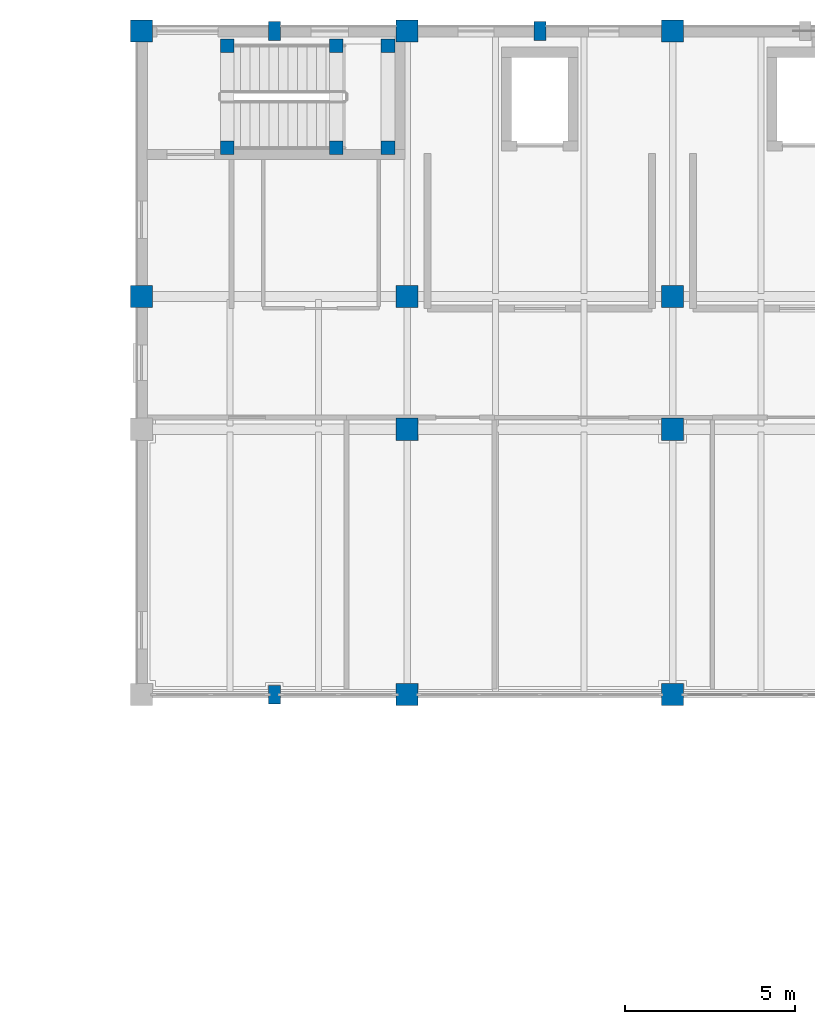
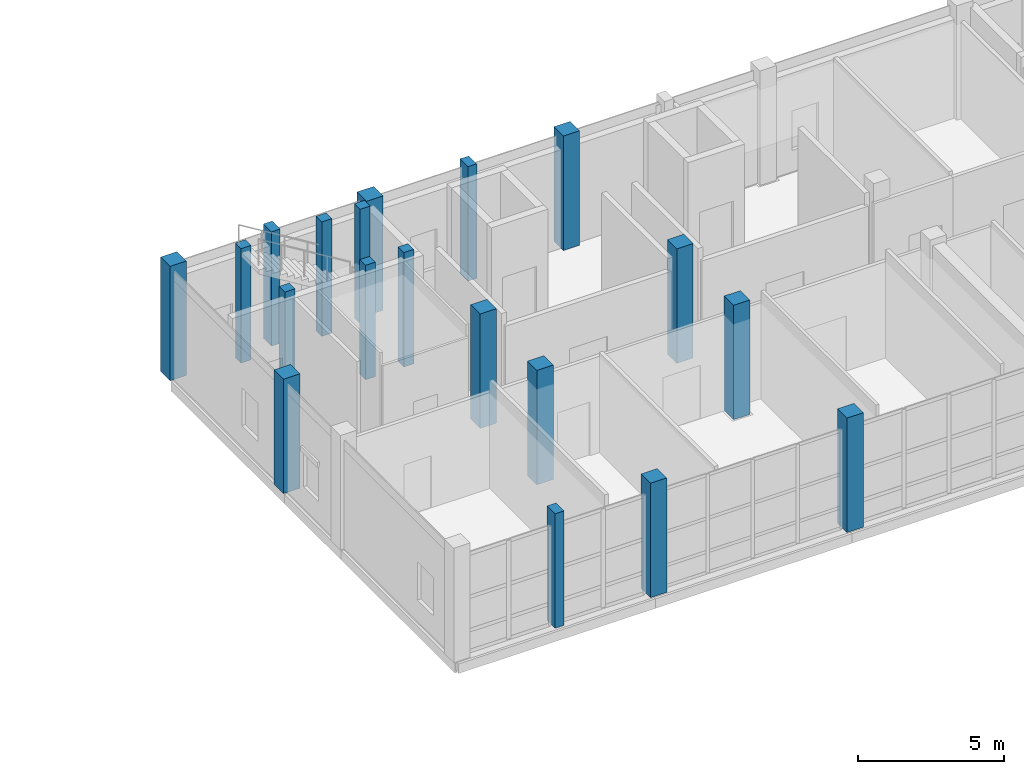
# One storey, part 13 of 131: 19 columns.
"""IFC4 building model written with IfcOpenShell, lengths in metres."""

from ifc_helpers import new_model, si_unit, direction, frame, origin, origin_2d, place, context, subcontext, project, spatial, rectangle, extrude, material, material_profile, profile_set, type_object, element, save


model = new_model("IFC4")

# Units and contexts
model_context = context("Model", 3, precision=1e-05, world=origin(), true_north=direction((0.0, 1.0)))
body_context = subcontext(model_context, "Body", "Model", "MODEL_VIEW")
ifc_project = project(units=[si_unit("LENGTHUNIT", "METRE"), si_unit("AREAUNIT", "SQUARE_METRE"), si_unit("VOLUMEUNIT", "CUBIC_METRE"), si_unit("PLANEANGLEUNIT", "RADIAN"), si_unit("MASSUNIT", "GRAM", prefix="KILO")], contexts=[model_context])

# Site, building, storey
site_placement = place(None, origin())
site = spatial("IfcSite", under=ifc_project, at=site_placement, CompositionType="ELEMENT")
building_placement = place(site_placement, origin())
building = spatial("IfcBuilding", under=site, at=building_placement, Name="Celorna Specialist Clinic", CompositionType="ELEMENT")
storey_placement = place(building_placement, origin())
storey = spatial("IfcBuildingStorey", under=building, at=storey_placement, Name="L00", CompositionType="ELEMENT", Elevation=0.0)

# Columns
ifc_material_1 = material(Name="Concrete C40/50", Category="concrete")
ifc_material_profile_1 = material_profile(ifc_material_1, rectangle(XDim=0.64990234375, YDim=0.64990234375, at=origin_2d()), Name="RC 650x650")
ifc_profile_set_1 = profile_set([ifc_material_profile_1], Name="Concrete C40/50")
column_type_1 = type_object("IfcColumnType", Name="CT-03", PredefinedType="COLUMN", material=ifc_profile_set_1)
for number, where, z_axis, x_axis, name in (
    (1, (46.800048828125, 108.199951171875, 0.0), (0.0, 0.0, 1.0), (1.0, 0.0, 0.0), "Column CT-03 L00 X07/YT"),
    (2, (46.800048828125, 116.0, 0.0), (0.0, 0.0, 1.0), (1.0, 0.0, 0.0), "Column CT-03 L00 X07/YU"),
    (3, (54.60009765625, 96.5, 0.0), (0.0, 0.0, 1.0), (1.0, 0.0, 0.0), "Column CT-03 L00 X08/YR"),
    (4, (54.60009765625, 104.300048828125, 0.0), (0.0, 0.0, 1.0), (1.0, 0.0, 0.0), "Column CT-03 L00 X08/YS"),
    (5, (54.60009765625, 108.199951171875, 0.0), (0.0, 0.0, 1.0), (1.0, 0.0, 0.0), "Column CT-03 L00 X08/YT"),
    (6, (54.60009765625, 116.0, 0.0), (0.0, 0.0, 1.0), (1.0, 0.0, 0.0), "Column CT-03 L00 X08/YU"),
    (7, (62.39990234375, 96.5, 0.0), (0.0, 0.0, 1.0), (1.0, 0.0, 0.0), "Column CT-03 L00 X09/YR"),
    (8, (62.39990234375, 104.300048828125, 0.0), (0.0, 0.0, 1.0), (1.0, 0.0, 0.0), "Column CT-03 L00 X09/YS"),
    (9, (62.39990234375, 108.199951171875, 0.0), (0.0, 0.0, 1.0), (1.0, 0.0, 0.0), "Column CT-03 L00 X09/YT"),
    (10, (62.39990234375, 116.0, 0.0), (0.0, 0.0, 1.0), (1.0, 0.0, 0.0), "Column CT-03 L00 X09/YU"),
):
    element("IfcColumn", number, at=place(storey_placement, frame(where, z_axis=z_axis, x_axis=x_axis)), inside=storey, type_object=column_type_1, Name=name, PredefinedType="COLUMN", context=body_context, shape_type="SweptSolid", body=[
        extrude(rectangle(XDim=0.64990234375, YDim=0.64990234375, at=origin_2d()), origin(), (0.0, 0.0, 1.0), 4.800048828125),
    ])
ifc_material_2 = material(Name="Concrete C35/45", Category="concrete")
ifc_material_profile_2 = material_profile(ifc_material_2, rectangle(XDim=0.39990234375, YDim=0.39990234375, at=origin_2d()), Name="RC 400x400")
ifc_profile_set_2 = profile_set([ifc_material_profile_2], Name="Concrete C35/45")
column_type_2 = type_object("IfcColumnType", Name="CT-08", PredefinedType="COLUMN", material=ifc_profile_set_2)
for number, where, z_axis, x_axis, name in (
    (11, (49.320068359375, 112.570068359375, 0.0), (0.0, 0.0, 1.0), (1.0, 0.0, 0.0), "Stair ST-01 landing column CT-08 L00 X07/YU"),
    (12, (49.320068359375, 115.570068359375, 0.0), (0.0, 0.0, 1.0), (1.0, 0.0, 0.0), "Stair ST-01 landing column CT-08 L00 X07/YU"),
    (13, (52.52001953125, 112.570068359375, 0.0), (0.0, 0.0, 1.0), (1.0, 0.0, 0.0), "Stair ST-01 landing column CT-08 L00 X08/YU"),
    (14, (52.52001953125, 115.570068359375, 0.0), (0.0, 0.0, 1.0), (1.0, 0.0, 0.0), "Stair ST-01 landing column CT-08 L00 X08/YU"),
    (15, (54.0400390625, 112.570068359375, 0.0), (0.0, 0.0, 1.0), (1.0, 0.0, 0.0), "Stair ST-01 landing column CT-08 L00 X08/YU"),
    (16, (54.0400390625, 115.570068359375, 0.0), (0.0, 0.0, 1.0), (1.0, 0.0, 0.0), "Stair ST-01 landing column CT-08 L00 X08/YU"),
):
    element("IfcColumn", number, at=place(storey_placement, frame(where, z_axis=z_axis, x_axis=x_axis)), inside=storey, type_object=column_type_2, Name=name, PredefinedType="COLUMN", context=body_context, shape_type="SweptSolid", body=[
        extrude(rectangle(XDim=0.39990234375, YDim=0.39990234375, at=origin_2d()), origin(), (0.0, 0.0, 1.0), 4.800048828125),
    ])
ifc_material_3 = material(Name="Precast concrete C40/50", Category="concrete")
ifc_material_profile_3 = material_profile(ifc_material_3, rectangle(XDim=0.35009765625, YDim=0.550048828125, at=origin_2d()), Name="PILASTER 350x550")
ifc_profile_set_3 = profile_set([ifc_material_profile_3], Name="Precast concrete C40/50")
column_type_3 = type_object("IfcColumnType", Name="CT-16", PredefinedType="PILASTER", material=ifc_profile_set_3)
for number, where, z_axis, x_axis, name in (
    (17, (50.699951171875, 116.0, 0.0), (0.0, 0.0, 1.0), (1.0, 0.0, 0.0), "Facade pilaster CT-16 L00 X08/YU"),
    (18, (58.5, 116.0, 0.0), (0.0, 0.0, 1.0), (1.0, 0.0, 0.0), "Facade pilaster CT-16 L00 X08/YU"),
    (19, (50.699951171875, 96.5, 0.0), (0.0, 0.0, 1.0), (1.0, 0.0, 0.0), "Court veranda pilaster CT-16 L00 X08/YR"),
):
    element("IfcColumn", number, at=place(storey_placement, frame(where, z_axis=z_axis, x_axis=x_axis)), inside=storey, type_object=column_type_3, Name=name, PredefinedType="PILASTER", context=body_context, shape_type="SweptSolid", body=[
        extrude(rectangle(XDim=0.35009765625, YDim=0.550048828125, at=origin_2d()), origin(), (0.0, 0.0, 1.0), 4.800048828125),
    ])

save(model, "model.ifc")
